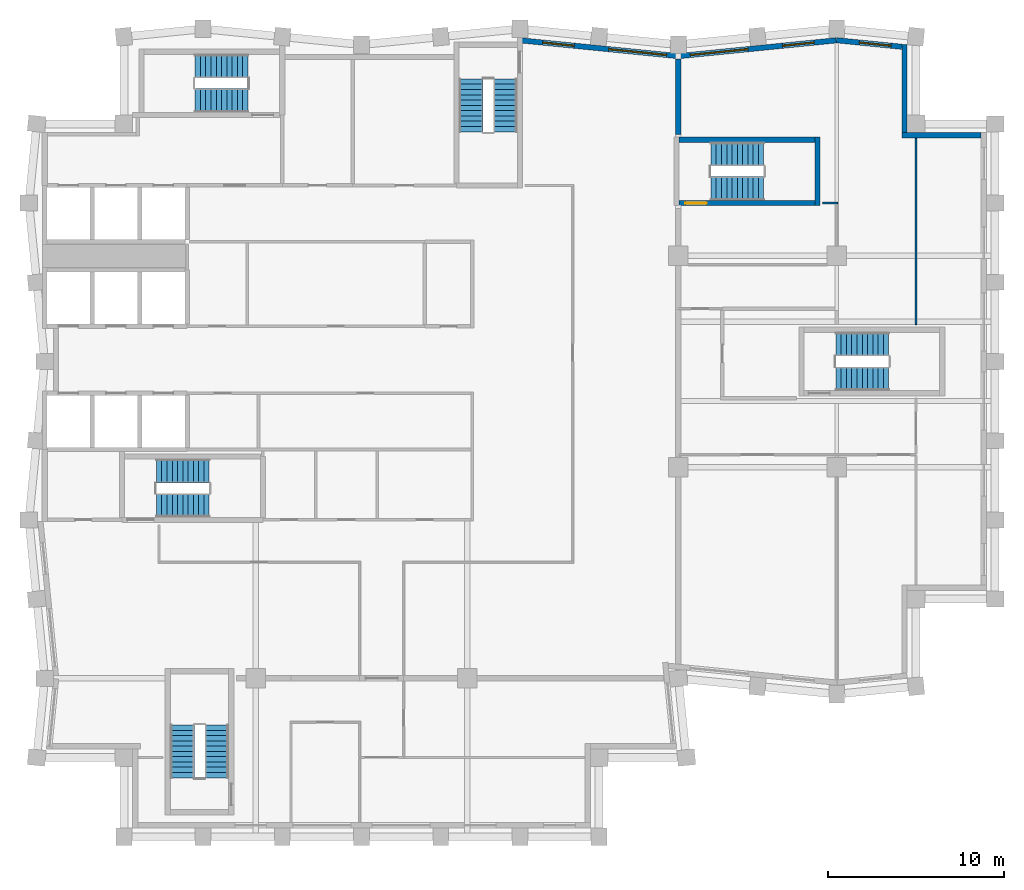
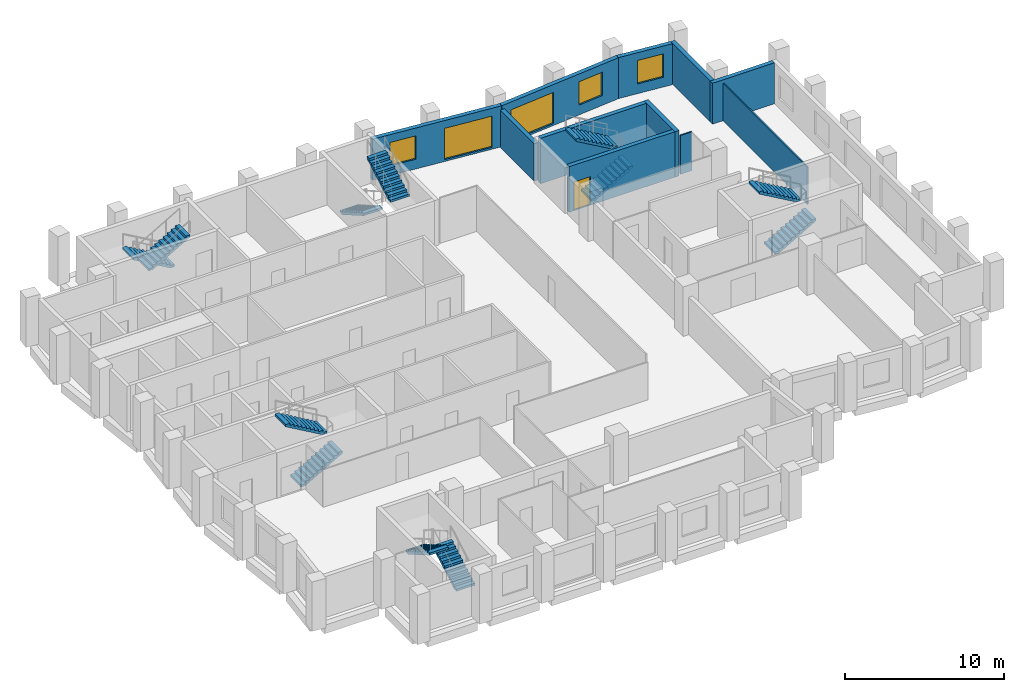
# One storey, part 6 of 7: 12 stair flights, 11 walls, 5 windows, 1 door, 6 openings, 6 elements without a shape of their own.
"""IFC4 building model written with IfcOpenShell, lengths in metres."""

from ifc_helpers import new_model, si_unit, direction, frame, frame_2d, origin, place, context, subcontext, project, spatial, polyline, rectangle, outline, extrude, material, layer, layer_set, type_object, element, fill, aggregate, save


model = new_model("IFC4")

# Units and contexts
model_context = context("Model", 3, precision=1e-05, world=origin(), true_north=direction((0.0, 1.0)))
body_context = subcontext(model_context, "Body", "Model", "MODEL_VIEW")
ifc_project = project(units=[si_unit("LENGTHUNIT", "METRE"), si_unit("AREAUNIT", "SQUARE_METRE"), si_unit("VOLUMEUNIT", "CUBIC_METRE"), si_unit("PLANEANGLEUNIT", "RADIAN"), si_unit("MASSUNIT", "GRAM", prefix="KILO")], contexts=[model_context])

# Site, building, storey
site_placement = place(None, origin())
site = spatial("IfcSite", under=ifc_project, at=site_placement, CompositionType="ELEMENT")
building_placement = place(site_placement, origin())
building = spatial("IfcBuilding", under=site, at=building_placement, Name="Brondeck Convention Tower", CompositionType="ELEMENT")
storey_placement = place(building_placement, frame((0.0, 0.0, 206.39990234375)))
storey = spatial("IfcBuildingStorey", under=building, at=storey_placement, Name="L50", CompositionType="ELEMENT", Elevation=206.39990234375)

# Walls
ifc_material_1 = material(Name="Concrete compartment wall C30/37", Category="concrete")
ifc_layer_1 = layer(ifc_material_1, 0.300048828125)
ifc_layer_set_1 = layer_set([ifc_layer_1], Name="Compartment wall 300")
wall_type_1 = type_object("IfcWallType", Name="Compartment wall 300", PredefinedType="PARTITIONING", material=ifc_layer_set_1)
wall_1_placement = place(storey_placement, frame((36.0, 57.89990234375, 0.0), z_axis=(0.0, 0.0, 1.0), x_axis=(0.0, 1.0, 0.0)))
element("IfcWall", 1, at=wall_1_placement, inside=storey, type_object=wall_type_1, Name="FLR-L50-W046", PredefinedType="PARTITIONING", context=body_context, shape_type="SweptSolid", body=[
    extrude(rectangle(XDim=4.2763671875, YDim=0.300048828125, at=frame_2d((2.13818359375, 0.0))), origin(), (0.0, 0.0, 1.0), 2.880126953125),
])
ifc_material_2 = material(Name="Precast concrete C50/60 bronze finish", Category="concrete")
ifc_layer_2 = layer(ifc_material_2, 0.070068359375, Name="Bronze precast facing")
ifc_material_3 = material(Name="Mineral wool")
ifc_layer_3 = layer(ifc_material_3, 0.159912109375, Name="Insulation")
ifc_material_4 = material(Name="Concrete C35/45", Category="concrete")
ifc_layer_4 = layer(ifc_material_4, 0.070068359375, Name="Backing")
ifc_layer_set_2 = layer_set([ifc_layer_2, ifc_layer_3, ifc_layer_4], Name="External infill wall, precast concrete C50/60 bronze facing")
wall_type_2 = type_object("IfcWallType", Name="External infill wall, precast concrete C50/60 bronze facing", PredefinedType="SOLIDWALL", material=ifc_layer_set_2)
wall_2_placement = place(storey_placement, frame((48.699951171875, 57.85009765625, 0.0), z_axis=(0.0, 0.0, 1.0), x_axis=(1.0, 0.0, 0.0)))
element("IfcWall", 2, at=wall_2_placement, inside=storey, type_object=wall_type_2, Name="ENV-EW-L50-P2-NC-NEA54-01", PredefinedType="SOLIDWALL", context=body_context, shape_type="SweptSolid", body=[
    extrude(rectangle(XDim=4.501953125, YDim=0.300048828125, at=frame_2d((2.2509765625, 0.0))), origin(), (0.0, 0.0, 1.0), 3.150146484375),
])
wall_3_placement = place(storey_placement, frame((48.85009765625, 62.99755859375, 0.0), z_axis=(0.0, 0.0, 1.0), x_axis=(0.0, -1.0, 0.0)))
element("IfcWall", 3, at=wall_3_placement, inside=storey, type_object=wall_type_2, Name="ENV-EW-L50-P2-NC-NEA54-02", PredefinedType="SOLIDWALL", context=body_context, shape_type="SweptSolid", body=[
    extrude(rectangle(XDim=4.99951171875, YDim=0.300048828125, at=frame_2d((2.499755859375, 0.0))), origin(), (0.0, 0.0, 1.0), 3.150146484375),
])

# Wall, opening, window
wall_4_placement = place(storey_placement, frame((44.985107421875, 63.248291015625, 0.0), z_axis=(0.0, 0.0, 1.0), x_axis=(0.995037837869, -0.099497242219, 0.0)))
wall_4 = element("IfcWall", 4, at=wall_4_placement, inside=storey, type_object=wall_type_2, Name="ENV-EW-L50-P2-A-N-10", PredefinedType="SOLIDWALL", context=body_context, shape_type="SweptSolid", body=[
    extrude(rectangle(XDim=3.732177734375, YDim=0.300048828125, at=frame_2d((1.8662109375, 0.0))), origin(), (0.0, 0.0, 1.0), 3.150146484375),
])
opening_1_placement = place(wall_4_placement, frame((1.311279296875, 0.0, 0.75)))
opening_1 = element("IfcOpeningElement", 5, at=opening_1_placement, cuts=wall_4, Name="Opening W10", PredefinedType="OPENING", context=body_context, shape_type="SweptSolid", body=[
    extrude(rectangle(XDim=1.800048828125, YDim=1.800048828125, at=frame_2d((0.89990234375, 0.89990234375))), frame((0.0, 0.159912109375, 0.0), z_axis=(0.0, -1.0, 0.0), x_axis=(1.0, 0.0, 0.0)), (0.0, 0.0, 1.0), 0.320068359375),
])
ifc_material_5 = material(Name="Bronze tinted double glazing", Category="glass")
window_type_1 = type_object("IfcWindowType", Name="Punched window, bronze tinted", PartitioningType="SINGLE_PANEL", PredefinedType="WINDOW", material=ifc_material_5)
window_1_placement = place(opening_1_placement, origin())
window_1 = element("IfcWindow", 6, at=window_1_placement, inside=storey, type_object=window_type_1, Name="ENV-WN-L50-P2-A-N-10", OverallHeight=1.800048828125, OverallWidth=1.800048828125, PartitioningType="SINGLE_PANEL", PredefinedType="WINDOW", context=body_context, shape_type="SweptSolid", body=[
    extrude(rectangle(XDim=1.800048828125, YDim=1.800048828125, at=frame_2d((0.89990234375, 0.89990234375))), frame((0.0, 0.030029296875, 0.0), z_axis=(0.0, -1.0, 0.0), x_axis=(1.0, 0.0, 0.0)), (0.0, 0.0, 1.0), 0.06005859375),
])
fill(opening_1, window_1)

# Wall, openings, windows
wall_5_placement = place(storey_placement, frame((35.985107421875, 62.34521484375, 0.0), z_axis=(0.0, 0.0, 1.0), x_axis=(0.995035316196, 0.099522457379, 0.0)))
wall_5 = element("IfcWall", 7, at=wall_5_placement, inside=storey, type_object=wall_type_2, Name="ENV-EW-L50-P2-A-N-09", PredefinedType="SOLIDWALL", context=body_context, shape_type="SweptSolid", body=[
    extrude(rectangle(XDim=9.030029296875, YDim=0.300048828125, at=frame_2d((4.51513671875, 0.0))), origin(), (0.0, 0.0, 1.0), 3.150146484375),
])
opening_2_placement = place(wall_5_placement, frame((0.691162109375, 0.0, 0.14990234375)))
opening_2 = element("IfcOpeningElement", 8, at=opening_2_placement, cuts=wall_5, Name="Opening W9", PredefinedType="OPENING", context=body_context, shape_type="SweptSolid", body=[
    extrude(rectangle(XDim=3.300048828125, YDim=2.39990234375, at=frame_2d((1.64990234375, 1.199951171875))), frame((0.0, 0.159912109375, 0.0), z_axis=(0.0, -1.0, 0.0), x_axis=(1.0, 0.0, 0.0)), (0.0, 0.0, 1.0), 0.320068359375),
])
opening_3_placement = place(wall_5_placement, frame((5.963623046875, 0.0, 0.75)))
opening_3 = element("IfcOpeningElement", 9, at=opening_3_placement, cuts=wall_5, Name="Opening W10", PredefinedType="OPENING", context=body_context, shape_type="SweptSolid", body=[
    extrude(rectangle(XDim=1.800048828125, YDim=1.800048828125, at=frame_2d((0.89990234375, 0.89990234375))), frame((0.0, 0.159912109375, 0.0), z_axis=(0.0, -1.0, 0.0), x_axis=(1.0, 0.0, 0.0)), (0.0, 0.0, 1.0), 0.320068359375),
])
window_type_2 = type_object("IfcWindowType", Name="Glazed flute window, bronze tinted", PartitioningType="SINGLE_PANEL", PredefinedType="WINDOW", material=ifc_material_5)
window_2_placement = place(opening_2_placement, origin())
window_2 = element("IfcWindow", 10, at=window_2_placement, inside=storey, type_object=window_type_2, Name="ENV-WN-L50-P2-A-N-08", OverallHeight=2.39990234375, OverallWidth=3.300048828125, PartitioningType="SINGLE_PANEL", PredefinedType="WINDOW", context=body_context, shape_type="SweptSolid", body=[
    extrude(rectangle(XDim=3.300048828125, YDim=2.39990234375, at=frame_2d((1.64990234375, 1.199951171875))), frame((0.0, 0.030029296875, 0.0), z_axis=(0.0, -1.0, 0.0), x_axis=(1.0, 0.0, 0.0)), (0.0, 0.0, 1.0), 0.06005859375),
])
fill(opening_2, window_2)
window_3_placement = place(opening_3_placement, origin())
window_3 = element("IfcWindow", 11, at=window_3_placement, inside=storey, type_object=window_type_1, Name="ENV-WN-L50-P2-A-N-09", OverallHeight=1.800048828125, OverallWidth=1.800048828125, PartitioningType="SINGLE_PANEL", PredefinedType="WINDOW", context=body_context, shape_type="SweptSolid", body=[
    extrude(rectangle(XDim=1.800048828125, YDim=1.800048828125, at=frame_2d((0.89990234375, 0.89990234375))), frame((0.0, 0.030029296875, 0.0), z_axis=(0.0, -1.0, 0.0), x_axis=(1.0, 0.0, 0.0)), (0.0, 0.0, 1.0), 0.06005859375),
])
fill(opening_3, window_3)

wall_6_placement = place(storey_placement, frame((27.084716796875, 63.23828125, 0.0), z_axis=(0.0, 0.0, 1.0), x_axis=(0.995035836657, -0.099517253618, 0.0)))
wall_6 = element("IfcWall", 12, at=wall_6_placement, inside=storey, type_object=wall_type_2, Name="ENV-EW-L50-P2-A-N-07", PredefinedType="SOLIDWALL", context=body_context, shape_type="SweptSolid", body=[
    extrude(rectangle(XDim=8.929931640625, YDim=0.300048828125, at=frame_2d((4.46484375, 0.0))), origin(), (0.0, 0.0, 1.0), 3.150146484375),
])
opening_4_placement = place(wall_6_placement, frame((1.211181640625, 0.0, 0.75)))
opening_4 = element("IfcOpeningElement", 13, at=opening_4_placement, cuts=wall_6, Name="Opening W10", PredefinedType="OPENING", context=body_context, shape_type="SweptSolid", body=[
    extrude(rectangle(XDim=1.800048828125, YDim=1.800048828125, at=frame_2d((0.89990234375, 0.89990234375))), frame((0.0, 0.159912109375, 0.0), z_axis=(0.0, -1.0, 0.0), x_axis=(1.0, 0.0, 0.0)), (0.0, 0.0, 1.0), 0.320068359375),
])
opening_5_placement = place(wall_6_placement, frame((4.983642578125, 0.0, 0.14990234375)))
opening_5 = element("IfcOpeningElement", 14, at=opening_5_placement, cuts=wall_6, Name="Opening W9", PredefinedType="OPENING", context=body_context, shape_type="SweptSolid", body=[
    extrude(rectangle(XDim=3.300048828125, YDim=2.39990234375, at=frame_2d((1.64990234375, 1.199951171875))), frame((0.0, 0.159912109375, 0.0), z_axis=(0.0, -1.0, 0.0), x_axis=(1.0, 0.0, 0.0)), (0.0, 0.0, 1.0), 0.320068359375),
])
window_4_placement = place(opening_5_placement, origin())
window_4 = element("IfcWindow", 15, at=window_4_placement, inside=storey, type_object=window_type_2, Name="ENV-WN-L50-P2-A-N-07", OverallHeight=2.39990234375, OverallWidth=3.300048828125, PartitioningType="SINGLE_PANEL", PredefinedType="WINDOW", context=body_context, shape_type="SweptSolid", body=[
    extrude(rectangle(XDim=3.300048828125, YDim=2.39990234375, at=frame_2d((1.64990234375, 1.199951171875))), frame((0.0, 0.030029296875, 0.0), z_axis=(0.0, -1.0, 0.0), x_axis=(1.0, 0.0, 0.0)), (0.0, 0.0, 1.0), 0.06005859375),
])
fill(opening_5, window_4)
window_5_placement = place(opening_4_placement, origin())
window_5 = element("IfcWindow", 16, at=window_5_placement, inside=storey, type_object=window_type_1, Name="ENV-WN-L50-P2-A-N-06", OverallHeight=1.800048828125, OverallWidth=1.800048828125, PartitioningType="SINGLE_PANEL", PredefinedType="WINDOW", context=body_context, shape_type="SweptSolid", body=[
    extrude(rectangle(XDim=1.800048828125, YDim=1.800048828125, at=frame_2d((0.89990234375, 0.89990234375))), frame((0.0, 0.030029296875, 0.0), z_axis=(0.0, -1.0, 0.0), x_axis=(1.0, 0.0, 0.0)), (0.0, 0.0, 1.0), 0.06005859375),
])
fill(opening_4, window_5)

# Walls
ifc_material_6 = material(Name="Gypsum board partition on steel studs", Category="steel")
ifc_layer_5 = layer(ifc_material_6, 0.10009765625)
ifc_layer_set_3 = layer_set([ifc_layer_5], Name="Room partition 100")
wall_type_3 = type_object("IfcWallType", Name="Room partition 100", PredefinedType="PARTITIONING", material=ifc_layer_set_3)
wall_7_placement = place(storey_placement, frame((49.5, 47.10009765625, 0.0), z_axis=(0.0, 0.0, 1.0), x_axis=(0.0, 1.0, 0.0)))
element("IfcWall", 17, at=wall_7_placement, inside=storey, type_object=wall_type_3, Name="FLR-L50-W034", PredefinedType="PARTITIONING", context=body_context, shape_type="SweptSolid", body=[
    extrude(rectangle(XDim=10.579833984375, YDim=0.10009765625, at=frame_2d((5.2900390625, 0.0))), origin(), (0.0, 0.0, 1.0), 2.880126953125),
])
wall_8_placement = place(storey_placement, frame((44.199951171875, 54.0, 0.0), z_axis=(0.0, 0.0, 1.0), x_axis=(1.0, 0.0, 0.0)))
element("IfcWall", 18, at=wall_8_placement, inside=storey, type_object=wall_type_3, Name="FLR-L50-W043", PredefinedType="PARTITIONING", context=body_context, shape_type="SweptSolid", body=[
    extrude(rectangle(XDim=0.85009765625, YDim=0.10009765625, at=frame_2d((0.425048828125, 0.0))), origin(), (0.0, 0.0, 1.0), 2.97998046875),
])

# Wall, opening, door
ifc_material_7 = material(Name="Concrete C50/60", Category="concrete")
ifc_layer_6 = layer(ifc_material_7, 0.300048828125)
ifc_layer_set_4 = layer_set([ifc_layer_6], Name="Stair enclosure wall 300 Concrete C50/60")
wall_type_4 = type_object("IfcWallType", Name="Stair enclosure wall 300 Concrete C50/60", PredefinedType="SHEAR", material=ifc_layer_set_4)
wall_9_placement = place(storey_placement, frame((36.050048828125, 54.0, 0.0), z_axis=(0.0, 0.0, 1.0), x_axis=(1.0, 0.0, 0.0)))
wall_9 = element("IfcWall", 19, at=wall_9_placement, inside=storey, type_object=wall_type_4, Name="L50 core wall", PredefinedType="SHEAR", context=body_context, shape_type="SweptSolid", body=[
    extrude(rectangle(XDim=7.699951171875, YDim=0.300048828125, at=frame_2d((3.85009765625, 0.0))), origin(), (0.0, 0.0, 1.0), 3.5),
])
opening_6_placement = place(wall_9_placement, frame((0.35009765625, 0.0, 0.0)))
opening_6 = element("IfcOpeningElement", 20, at=opening_6_placement, cuts=wall_9, Name="Opening C28-16", PredefinedType="OPENING", context=body_context, shape_type="SweptSolid", body=[
    extrude(rectangle(XDim=1.199951171875, YDim=2.199951171875, at=frame_2d((0.60009765625, 1.10009765625))), frame((0.0, 0.159912109375, 0.0), z_axis=(0.0, -1.0, 0.0), x_axis=(1.0, 0.0, 0.0)), (0.0, 0.0, 1.0), 0.320068359375),
])
ifc_material_8 = material(Name="Steel fire door", Category="steel")
door_type = type_object("IfcDoorType", Name="Stair door 1200x2200 EI 90", OperationType="NOTDEFINED", PredefinedType="DOOR", material=ifc_material_8)
door_placement = place(opening_6_placement, origin())
door = element("IfcDoor", 21, at=door_placement, inside=storey, type_object=door_type, Name="L50 Stair door ST-AE", OperationType="SINGLE_SWING_LEFT", OverallHeight=2.199951171875, OverallWidth=1.199951171875, PredefinedType="DOOR", context=body_context, shape_type="SweptSolid", body=[
    extrude(rectangle(XDim=1.199951171875, YDim=2.199951171875, at=frame_2d((0.60009765625, 1.10009765625))), frame((0.0, 0.02490234375, 0.0), z_axis=(0.0, -1.0, 0.0), x_axis=(1.0, 0.0, 0.0)), (0.0, 0.0, 1.0), 0.050048828125),
])
fill(opening_6, door)

# Walls
wall_10_placement = place(storey_placement, frame((36.050048828125, 57.60009765625, 0.0), z_axis=(0.0, 0.0, 1.0), x_axis=(1.0, 0.0, 0.0)))
element("IfcWall", 22, at=wall_10_placement, inside=storey, type_object=wall_type_4, Name="L50 core wall", PredefinedType="SHEAR", context=body_context, shape_type="SweptSolid", body=[
    extrude(rectangle(XDim=7.699951171875, YDim=0.300048828125, at=frame_2d((3.85009765625, 0.0))), origin(), (0.0, 0.0, 1.0), 3.5),
])
wall_11_placement = place(storey_placement, frame((43.89990234375, 53.85009765625, 0.0), z_axis=(0.0, 0.0, 1.0), x_axis=(0.0, 1.0, 0.0)))
element("IfcWall", 23, at=wall_11_placement, inside=storey, type_object=wall_type_4, Name="L50 core wall", PredefinedType="SHEAR", context=body_context, shape_type="SweptSolid", body=[
    extrude(rectangle(XDim=3.89990234375, YDim=0.300048828125, at=frame_2d((1.949951171875, 0.0))), origin(), (0.0, 0.0, 1.0), 3.5),
])

# Stair, stair flights
ifc_material_9 = material(Name="Precast concrete C50/60", Category="concrete")
stair_type = type_object("IfcStairType", Name="Core stair 22 risers 172.73 mm riser 300 mm going 1350 wide", PredefinedType="HALF_TURN_STAIR", material=ifc_material_9)
stair_1_placement = place(storey_placement, origin())
stair_1 = element("IfcStair", 24, at=stair_1_placement, inside=storey, type_object=stair_type, Name="ST-1 L50 stair", PredefinedType="HALF_TURN_STAIR")
stair_flight_type = type_object("IfcStairFlightType", Name="Core stair flight 22 risers 172.73 mm riser 300 mm going 1350 wide", PredefinedType="STRAIGHT", material=ifc_material_9)
stair_flight_1_placement = place(storey_placement, frame((6.35009765625, 36.824951171875, 0.0), z_axis=(0.0, 0.0, 1.0), x_axis=(1.0, 0.0, 0.0)))
stair_flight_1 = element("IfcStairFlight", 25, at=stair_flight_1_placement, type_object=stair_flight_type, Name="ST-1 flight 1", NumberOfRisers=11, NumberOfTreads=10, PredefinedType="STRAIGHT", RiserHeight=0.172727273, TreadLength=0.3, context=body_context, shape_type="SweptSolid", body=[
    extrude(outline(polyline([(0.0, 0.0), (0.0, 0.172607421875), (0.300048828125, 0.172607421875), (0.300048828125, 0.345458984375), (0.60009765625, 0.345458984375), (0.60009765625, 0.51806640625), (0.89990234375, 0.51806640625), (0.89990234375, 0.69091796875), (1.199951171875, 0.69091796875), (1.199951171875, 0.863525390625), (1.5, 0.863525390625), (1.5, 1.036376953125), (1.800048828125, 1.036376953125), (1.800048828125, 1.208984375), (2.10009765625, 1.208984375), (2.10009765625, 1.3818359375), (2.39990234375, 1.3818359375), (2.39990234375, 1.554443359375), (2.699951171875, 1.554443359375), (2.699951171875, 1.727294921875), (3.0, 1.727294921875), (3.0, 1.89990234375), (3.0, 1.55419921875), (0.300537109375, 0.0), (0.0, 0.0)])), frame((0.0, 0.675048828125, 0.0), z_axis=(0.0, -1.0, 0.0), x_axis=(1.0, 0.0, 0.0)), (0.0, 0.0, 1.0), 1.35009765625),
])
stair_flight_2_placement = place(storey_placement, frame((9.35009765625, 38.77490234375, 1.900146484375), z_axis=(0.0, 0.0, 1.0), x_axis=(-1.0, 0.0, 0.0)))
stair_flight_2 = element("IfcStairFlight", 26, at=stair_flight_2_placement, type_object=stair_flight_type, Name="ST-1 flight 2", NumberOfRisers=11, NumberOfTreads=10, PredefinedType="STRAIGHT", RiserHeight=0.172727273, TreadLength=0.3, context=body_context, shape_type="SweptSolid", body=[
    extrude(outline(polyline([(0.0, 0.0), (0.0, 0.172607421875), (0.300048828125, 0.172607421875), (0.300048828125, 0.345458984375), (0.60009765625, 0.345458984375), (0.60009765625, 0.51806640625), (0.89990234375, 0.51806640625), (0.89990234375, 0.69091796875), (1.199951171875, 0.69091796875), (1.199951171875, 0.863525390625), (1.5, 0.863525390625), (1.5, 1.036376953125), (1.800048828125, 1.036376953125), (1.800048828125, 1.208984375), (2.10009765625, 1.208984375), (2.10009765625, 1.3818359375), (2.39990234375, 1.3818359375), (2.39990234375, 1.554443359375), (2.699951171875, 1.554443359375), (2.699951171875, 1.727294921875), (3.0, 1.727294921875), (3.0, 1.89990234375), (3.0, 1.55419921875), (0.300537109375, 0.0), (0.0, 0.0)])), frame((0.0, 0.675048828125, 0.0), z_axis=(0.0, -1.0, 0.0), x_axis=(1.0, 0.0, 0.0)), (0.0, 0.0, 1.0), 1.35009765625),
])
aggregate(stair_1, [stair_flight_1, stair_flight_2])

stair_2_placement = place(storey_placement, origin())
stair_2 = element("IfcStair", 27, at=stair_2_placement, inside=storey, type_object=stair_type, Name="ST-2 L50 stair", PredefinedType="HALF_TURN_STAIR")
stair_flight_3_placement = place(storey_placement, frame((24.22509765625, 61.050048828125, 0.0), z_axis=(0.0, 0.0, 1.0), x_axis=(0.0, -1.0, 0.0)))
stair_flight_3 = element("IfcStairFlight", 28, at=stair_flight_3_placement, type_object=stair_flight_type, Name="ST-2 flight 1", NumberOfRisers=11, NumberOfTreads=10, PredefinedType="STRAIGHT", RiserHeight=0.172727273, TreadLength=0.3, context=body_context, shape_type="SweptSolid", body=[
    extrude(outline(polyline([(0.0, 0.0), (0.0, 0.172607421875), (0.300048828125, 0.172607421875), (0.300048828125, 0.345458984375), (0.60009765625, 0.345458984375), (0.60009765625, 0.51806640625), (0.89990234375, 0.51806640625), (0.89990234375, 0.69091796875), (1.199951171875, 0.69091796875), (1.199951171875, 0.863525390625), (1.5, 0.863525390625), (1.5, 1.036376953125), (1.800048828125, 1.036376953125), (1.800048828125, 1.208984375), (2.10009765625, 1.208984375), (2.10009765625, 1.3818359375), (2.39990234375, 1.3818359375), (2.39990234375, 1.554443359375), (2.699951171875, 1.554443359375), (2.699951171875, 1.727294921875), (3.0, 1.727294921875), (3.0, 1.89990234375), (3.0, 1.55419921875), (0.300537109375, 0.0), (0.0, 0.0)])), frame((0.0, 0.675048828125, 0.0), z_axis=(0.0, -1.0, 0.0), x_axis=(1.0, 0.0, 0.0)), (0.0, 0.0, 1.0), 1.35009765625),
])
stair_flight_4_placement = place(storey_placement, frame((26.175048828125, 58.050048828125, 1.900146484375), z_axis=(0.0, 0.0, 1.0), x_axis=(0.0, 1.0, 0.0)))
stair_flight_4 = element("IfcStairFlight", 29, at=stair_flight_4_placement, type_object=stair_flight_type, Name="ST-2 flight 2", NumberOfRisers=11, NumberOfTreads=10, PredefinedType="STRAIGHT", RiserHeight=0.172727273, TreadLength=0.3, context=body_context, shape_type="SweptSolid", body=[
    extrude(outline(polyline([(0.0, 0.0), (0.0, 0.172607421875), (0.300048828125, 0.172607421875), (0.300048828125, 0.345458984375), (0.60009765625, 0.345458984375), (0.60009765625, 0.51806640625), (0.89990234375, 0.51806640625), (0.89990234375, 0.69091796875), (1.199951171875, 0.69091796875), (1.199951171875, 0.863525390625), (1.5, 0.863525390625), (1.5, 1.036376953125), (1.800048828125, 1.036376953125), (1.800048828125, 1.208984375), (2.10009765625, 1.208984375), (2.10009765625, 1.3818359375), (2.39990234375, 1.3818359375), (2.39990234375, 1.554443359375), (2.699951171875, 1.554443359375), (2.699951171875, 1.727294921875), (3.0, 1.727294921875), (3.0, 1.89990234375), (3.0, 1.55419921875), (0.300537109375, 0.0), (0.0, 0.0)])), frame((0.0, 0.675048828125, 0.0), z_axis=(0.0, -1.0, 0.0), x_axis=(1.0, 0.0, 0.0)), (0.0, 0.0, 1.0), 1.35009765625),
])
aggregate(stair_2, [stair_flight_3, stair_flight_4])

stair_3_placement = place(storey_placement, origin())
stair_3 = element("IfcStair", 30, at=stair_3_placement, inside=storey, type_object=stair_type, Name="ST-3 L50 stair", PredefinedType="HALF_TURN_STAIR")
stair_flight_5_placement = place(storey_placement, frame((11.550048828125, 61.77490234375, 0.0), z_axis=(0.0, 0.0, 1.0), x_axis=(-1.0, 0.0, 0.0)))
stair_flight_5 = element("IfcStairFlight", 31, at=stair_flight_5_placement, type_object=stair_flight_type, Name="ST-3 flight 1", NumberOfRisers=11, NumberOfTreads=10, PredefinedType="STRAIGHT", RiserHeight=0.172727273, TreadLength=0.3, context=body_context, shape_type="SweptSolid", body=[
    extrude(outline(polyline([(0.0, 0.0), (0.0, 0.172607421875), (0.300048828125, 0.172607421875), (0.300048828125, 0.345458984375), (0.60009765625, 0.345458984375), (0.60009765625, 0.51806640625), (0.89990234375, 0.51806640625), (0.89990234375, 0.69091796875), (1.199951171875, 0.69091796875), (1.199951171875, 0.863525390625), (1.5, 0.863525390625), (1.5, 1.036376953125), (1.800048828125, 1.036376953125), (1.800048828125, 1.208984375), (2.10009765625, 1.208984375), (2.10009765625, 1.3818359375), (2.39990234375, 1.3818359375), (2.39990234375, 1.554443359375), (2.699951171875, 1.554443359375), (2.699951171875, 1.727294921875), (3.0, 1.727294921875), (3.0, 1.89990234375), (3.0, 1.55419921875), (0.300537109375, 0.0), (0.0, 0.0)])), frame((0.0, 0.675048828125, 0.0), z_axis=(0.0, -1.0, 0.0), x_axis=(1.0, 0.0, 0.0)), (0.0, 0.0, 1.0), 1.35009765625),
])
stair_flight_6_placement = place(storey_placement, frame((8.550048828125, 59.824951171875, 1.900146484375), z_axis=(0.0, 0.0, 1.0), x_axis=(1.0, 0.0, 0.0)))
stair_flight_6 = element("IfcStairFlight", 32, at=stair_flight_6_placement, type_object=stair_flight_type, Name="ST-3 flight 2", NumberOfRisers=11, NumberOfTreads=10, PredefinedType="STRAIGHT", RiserHeight=0.172727273, TreadLength=0.3, context=body_context, shape_type="SweptSolid", body=[
    extrude(outline(polyline([(0.0, 0.0), (0.0, 0.172607421875), (0.300048828125, 0.172607421875), (0.300048828125, 0.345458984375), (0.60009765625, 0.345458984375), (0.60009765625, 0.51806640625), (0.89990234375, 0.51806640625), (0.89990234375, 0.69091796875), (1.199951171875, 0.69091796875), (1.199951171875, 0.863525390625), (1.5, 0.863525390625), (1.5, 1.036376953125), (1.800048828125, 1.036376953125), (1.800048828125, 1.208984375), (2.10009765625, 1.208984375), (2.10009765625, 1.3818359375), (2.39990234375, 1.3818359375), (2.39990234375, 1.554443359375), (2.699951171875, 1.554443359375), (2.699951171875, 1.727294921875), (3.0, 1.727294921875), (3.0, 1.89990234375), (3.0, 1.55419921875), (0.300537109375, 0.0), (0.0, 0.0)])), frame((0.0, 0.675048828125, 0.0), z_axis=(0.0, -1.0, 0.0), x_axis=(1.0, 0.0, 0.0)), (0.0, 0.0, 1.0), 1.35009765625),
])
aggregate(stair_3, [stair_flight_5, stair_flight_6])

stair_4_placement = place(storey_placement, origin())
stair_4 = element("IfcStair", 33, at=stair_4_placement, inside=storey, type_object=stair_type, Name="ST-AE L50 stair", PredefinedType="HALF_TURN_STAIR")
stair_flight_7_placement = place(storey_placement, frame((37.85009765625, 54.824951171875, 0.0), z_axis=(0.0, 0.0, 1.0), x_axis=(1.0, 0.0, 0.0)))
stair_flight_7 = element("IfcStairFlight", 34, at=stair_flight_7_placement, type_object=stair_flight_type, Name="ST-AE flight 1", NumberOfRisers=11, NumberOfTreads=10, PredefinedType="STRAIGHT", RiserHeight=0.172727273, TreadLength=0.3, context=body_context, shape_type="SweptSolid", body=[
    extrude(outline(polyline([(0.0, 0.0), (0.0, 0.172607421875), (0.300048828125, 0.172607421875), (0.300048828125, 0.345458984375), (0.60009765625, 0.345458984375), (0.60009765625, 0.51806640625), (0.89990234375, 0.51806640625), (0.89990234375, 0.69091796875), (1.199951171875, 0.69091796875), (1.199951171875, 0.863525390625), (1.5, 0.863525390625), (1.5, 1.036376953125), (1.800048828125, 1.036376953125), (1.800048828125, 1.208984375), (2.10009765625, 1.208984375), (2.10009765625, 1.3818359375), (2.39990234375, 1.3818359375), (2.39990234375, 1.554443359375), (2.699951171875, 1.554443359375), (2.699951171875, 1.727294921875), (3.0, 1.727294921875), (3.0, 1.89990234375), (3.0, 1.55419921875), (0.300537109375, 0.0), (0.0, 0.0)])), frame((0.0, 0.675048828125, 0.0), z_axis=(0.0, -1.0, 0.0), x_axis=(1.0, 0.0, 0.0)), (0.0, 0.0, 1.0), 1.35009765625),
])
stair_flight_8_placement = place(storey_placement, frame((40.85009765625, 56.77490234375, 1.900146484375), z_axis=(0.0, 0.0, 1.0), x_axis=(-1.0, 0.0, 0.0)))
stair_flight_8 = element("IfcStairFlight", 35, at=stair_flight_8_placement, type_object=stair_flight_type, Name="ST-AE flight 2", NumberOfRisers=11, NumberOfTreads=10, PredefinedType="STRAIGHT", RiserHeight=0.172727273, TreadLength=0.3, context=body_context, shape_type="SweptSolid", body=[
    extrude(outline(polyline([(0.0, 0.0), (0.0, 0.172607421875), (0.300048828125, 0.172607421875), (0.300048828125, 0.345458984375), (0.60009765625, 0.345458984375), (0.60009765625, 0.51806640625), (0.89990234375, 0.51806640625), (0.89990234375, 0.69091796875), (1.199951171875, 0.69091796875), (1.199951171875, 0.863525390625), (1.5, 0.863525390625), (1.5, 1.036376953125), (1.800048828125, 1.036376953125), (1.800048828125, 1.208984375), (2.10009765625, 1.208984375), (2.10009765625, 1.3818359375), (2.39990234375, 1.3818359375), (2.39990234375, 1.554443359375), (2.699951171875, 1.554443359375), (2.699951171875, 1.727294921875), (3.0, 1.727294921875), (3.0, 1.89990234375), (3.0, 1.55419921875), (0.300537109375, 0.0), (0.0, 0.0)])), frame((0.0, 0.675048828125, 0.0), z_axis=(0.0, -1.0, 0.0), x_axis=(1.0, 0.0, 0.0)), (0.0, 0.0, 1.0), 1.35009765625),
])
aggregate(stair_4, [stair_flight_7, stair_flight_8])

stair_5_placement = place(storey_placement, origin())
stair_5 = element("IfcStair", 36, at=stair_5_placement, inside=storey, type_object=stair_type, Name="ST-BE L50 stair", PredefinedType="HALF_TURN_STAIR")
stair_flight_9_placement = place(storey_placement, frame((9.77490234375, 21.35009765625, 0.0), z_axis=(0.0, 0.0, 1.0), x_axis=(0.0, 1.0, 0.0)))
stair_flight_9 = element("IfcStairFlight", 37, at=stair_flight_9_placement, type_object=stair_flight_type, Name="ST-BE flight 1", NumberOfRisers=11, NumberOfTreads=10, PredefinedType="STRAIGHT", RiserHeight=0.172727273, TreadLength=0.3, context=body_context, shape_type="SweptSolid", body=[
    extrude(outline(polyline([(0.0, 0.0), (0.0, 0.172607421875), (0.300048828125, 0.172607421875), (0.300048828125, 0.345458984375), (0.60009765625, 0.345458984375), (0.60009765625, 0.51806640625), (0.89990234375, 0.51806640625), (0.89990234375, 0.69091796875), (1.199951171875, 0.69091796875), (1.199951171875, 0.863525390625), (1.5, 0.863525390625), (1.5, 1.036376953125), (1.800048828125, 1.036376953125), (1.800048828125, 1.208984375), (2.10009765625, 1.208984375), (2.10009765625, 1.3818359375), (2.39990234375, 1.3818359375), (2.39990234375, 1.554443359375), (2.699951171875, 1.554443359375), (2.699951171875, 1.727294921875), (3.0, 1.727294921875), (3.0, 1.89990234375), (3.0, 1.55419921875), (0.300537109375, 0.0), (0.0, 0.0)])), frame((0.0, 0.675048828125, 0.0), z_axis=(0.0, -1.0, 0.0), x_axis=(1.0, 0.0, 0.0)), (0.0, 0.0, 1.0), 1.35009765625),
])
stair_flight_10_placement = place(storey_placement, frame((7.824951171875, 24.35009765625, 1.900146484375), z_axis=(0.0, 0.0, 1.0), x_axis=(0.0, -1.0, 0.0)))
stair_flight_10 = element("IfcStairFlight", 38, at=stair_flight_10_placement, type_object=stair_flight_type, Name="ST-BE flight 2", NumberOfRisers=11, NumberOfTreads=10, PredefinedType="STRAIGHT", RiserHeight=0.172727273, TreadLength=0.3, context=body_context, shape_type="SweptSolid", body=[
    extrude(outline(polyline([(0.0, 0.0), (0.0, 0.172607421875), (0.300048828125, 0.172607421875), (0.300048828125, 0.345458984375), (0.60009765625, 0.345458984375), (0.60009765625, 0.51806640625), (0.89990234375, 0.51806640625), (0.89990234375, 0.69091796875), (1.199951171875, 0.69091796875), (1.199951171875, 0.863525390625), (1.5, 0.863525390625), (1.5, 1.036376953125), (1.800048828125, 1.036376953125), (1.800048828125, 1.208984375), (2.10009765625, 1.208984375), (2.10009765625, 1.3818359375), (2.39990234375, 1.3818359375), (2.39990234375, 1.554443359375), (2.699951171875, 1.554443359375), (2.699951171875, 1.727294921875), (3.0, 1.727294921875), (3.0, 1.89990234375), (3.0, 1.55419921875), (0.300537109375, 0.0), (0.0, 0.0)])), frame((0.0, 0.675048828125, 0.0), z_axis=(0.0, -1.0, 0.0), x_axis=(1.0, 0.0, 0.0)), (0.0, 0.0, 1.0), 1.35009765625),
])
aggregate(stair_5, [stair_flight_9, stair_flight_10])

stair_6_placement = place(storey_placement, origin())
stair_6 = element("IfcStair", 39, at=stair_6_placement, inside=storey, type_object=stair_type, Name="ST-AF L50 stair", PredefinedType="HALF_TURN_STAIR")
stair_flight_11_placement = place(storey_placement, frame((44.949951171875, 44.02490234375, 0.0), z_axis=(0.0, 0.0, 1.0), x_axis=(1.0, 0.0, 0.0)))
stair_flight_11 = element("IfcStairFlight", 40, at=stair_flight_11_placement, type_object=stair_flight_type, Name="ST-AF flight 1", NumberOfRisers=11, NumberOfTreads=10, PredefinedType="STRAIGHT", RiserHeight=0.172727273, TreadLength=0.3, context=body_context, shape_type="SweptSolid", body=[
    extrude(outline(polyline([(0.0, 0.0), (0.0, 0.172607421875), (0.300048828125, 0.172607421875), (0.300048828125, 0.345458984375), (0.60009765625, 0.345458984375), (0.60009765625, 0.51806640625), (0.89990234375, 0.51806640625), (0.89990234375, 0.69091796875), (1.199951171875, 0.69091796875), (1.199951171875, 0.863525390625), (1.5, 0.863525390625), (1.5, 1.036376953125), (1.800048828125, 1.036376953125), (1.800048828125, 1.208984375), (2.10009765625, 1.208984375), (2.10009765625, 1.3818359375), (2.39990234375, 1.3818359375), (2.39990234375, 1.554443359375), (2.699951171875, 1.554443359375), (2.699951171875, 1.727294921875), (3.0, 1.727294921875), (3.0, 1.89990234375), (3.0, 1.55419921875), (0.300537109375, 0.0), (0.0, 0.0)])), frame((0.0, 0.675048828125, 0.0), z_axis=(0.0, -1.0, 0.0), x_axis=(1.0, 0.0, 0.0)), (0.0, 0.0, 1.0), 1.35009765625),
])
stair_flight_12_placement = place(storey_placement, frame((47.949951171875, 45.97509765625, 1.900146484375), z_axis=(0.0, 0.0, 1.0), x_axis=(-1.0, 0.0, 0.0)))
stair_flight_12 = element("IfcStairFlight", 41, at=stair_flight_12_placement, type_object=stair_flight_type, Name="ST-AF flight 2", NumberOfRisers=11, NumberOfTreads=10, PredefinedType="STRAIGHT", RiserHeight=0.172727273, TreadLength=0.3, context=body_context, shape_type="SweptSolid", body=[
    extrude(outline(polyline([(0.0, 0.0), (0.0, 0.172607421875), (0.300048828125, 0.172607421875), (0.300048828125, 0.345458984375), (0.60009765625, 0.345458984375), (0.60009765625, 0.51806640625), (0.89990234375, 0.51806640625), (0.89990234375, 0.69091796875), (1.199951171875, 0.69091796875), (1.199951171875, 0.863525390625), (1.5, 0.863525390625), (1.5, 1.036376953125), (1.800048828125, 1.036376953125), (1.800048828125, 1.208984375), (2.10009765625, 1.208984375), (2.10009765625, 1.3818359375), (2.39990234375, 1.3818359375), (2.39990234375, 1.554443359375), (2.699951171875, 1.554443359375), (2.699951171875, 1.727294921875), (3.0, 1.727294921875), (3.0, 1.89990234375), (3.0, 1.55419921875), (0.300537109375, 0.0), (0.0, 0.0)])), frame((0.0, 0.675048828125, 0.0), z_axis=(0.0, -1.0, 0.0), x_axis=(1.0, 0.0, 0.0)), (0.0, 0.0, 1.0), 1.35009765625),
])
aggregate(stair_6, [stair_flight_11, stair_flight_12])

save(model, "model.ifc")
